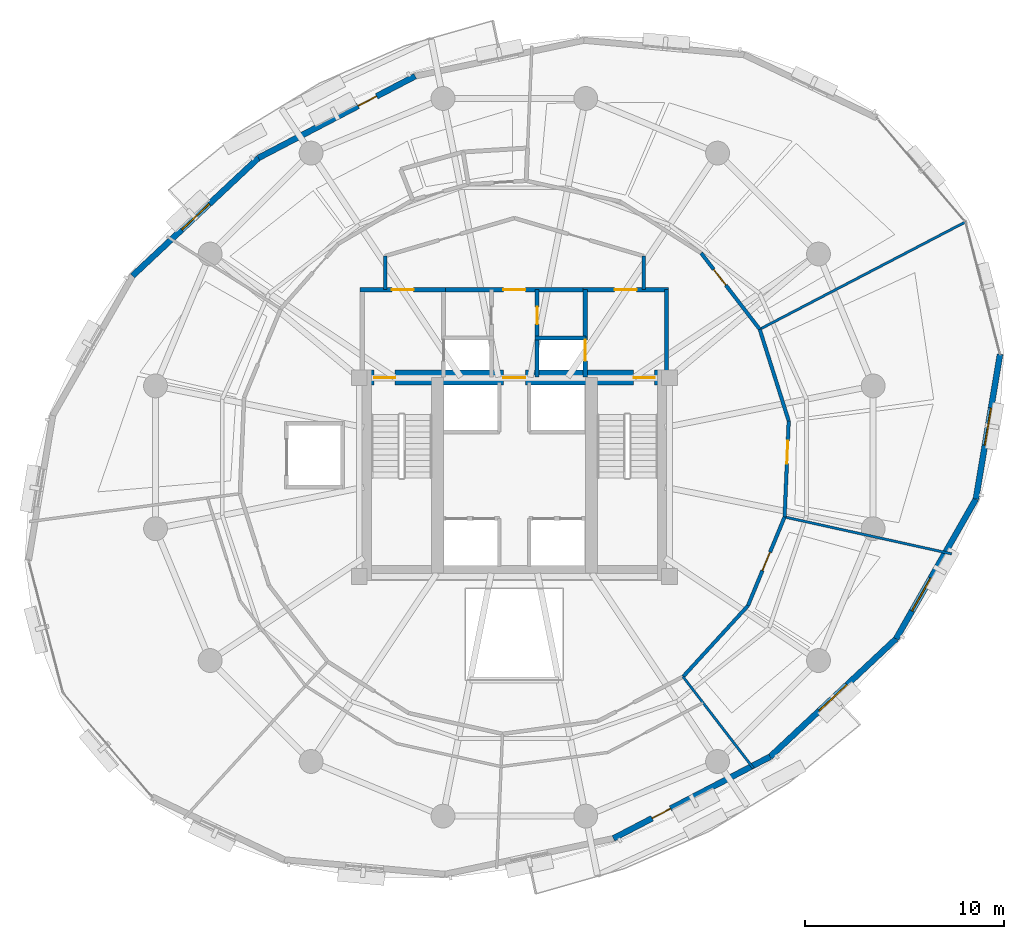
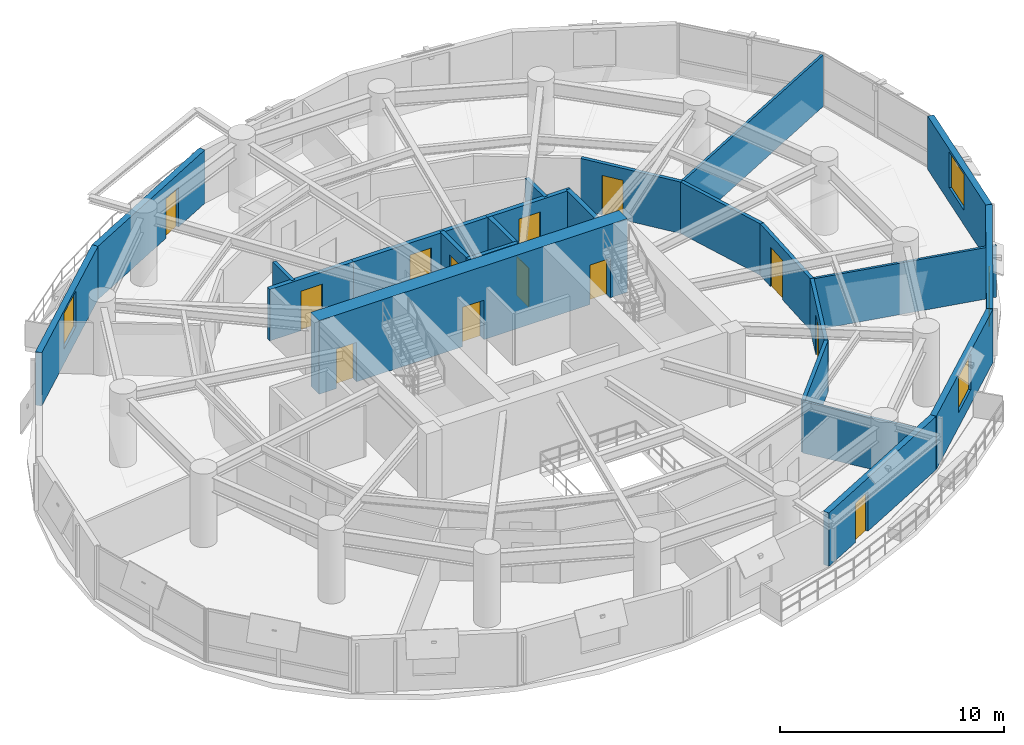
# One storey, part 11 of 14: 24 walls, 13 doors, 4 windows, 17 openings.
"""IFC4 building model written with IfcOpenShell, lengths in metres."""

from ifc_helpers import new_model, si_unit, direction, frame, frame_2d, origin, place, context, subcontext, project, spatial, rectangle, extrude, material, layer, layer_set, type_object, element, fill, save


model = new_model("IFC4")

# Units and contexts
model_context = context("Model", 3, precision=1e-05, world=origin(), true_north=direction((0.0, 1.0)))
body_context = subcontext(model_context, "Body", "Model", "MODEL_VIEW")
ifc_project = project(units=[si_unit("LENGTHUNIT", "METRE"), si_unit("AREAUNIT", "SQUARE_METRE"), si_unit("VOLUMEUNIT", "CUBIC_METRE"), si_unit("PLANEANGLEUNIT", "RADIAN"), si_unit("MASSUNIT", "GRAM", prefix="KILO"), si_unit("THERMODYNAMICTEMPERATUREUNIT", "KELVIN"), si_unit("POWERUNIT", "WATT")], contexts=[model_context])

# Site, building, storey
site_placement = place(None, origin())
site = spatial("IfcSite", under=ifc_project, at=site_placement, CompositionType="ELEMENT")
building_placement = place(site_placement, origin())
building = spatial("IfcBuilding", under=site, at=building_placement, Name="Ocrelia Relay Tower", CompositionType="ELEMENT")
storey_placement = place(building_placement, frame((0.0, 0.0, 149.800048828125)))
storey = spatial("IfcBuildingStorey", under=building, at=storey_placement, Name="L35", CompositionType="ELEMENT", Elevation=149.800048828125)

# Wall, openings, doors
ifc_material_1 = material(Name="Concrete C60/75", Category="concrete")
ifc_layer_1 = layer(ifc_material_1, 0.75, Name="Concrete C60/75")
ifc_layer_set_1 = layer_set([ifc_layer_1], Name="Concrete C60/75")
wall_type_1 = type_object("IfcWallType", Name="CW-CORE-750", PredefinedType="SHEAR", material=ifc_layer_set_1)
wall_1_placement = place(storey_placement, frame((26.072021484375, 30.012939453125, 0.0), z_axis=(0.0, 0.0, 1.0), x_axis=(1.0, 0.0, 0.0)))
wall_1 = element("IfcWall", 1, at=wall_1_placement, inside=storey, type_object=wall_type_1, Name="L35 Core Shear Wall N", PredefinedType="SHEAR", context=body_context, shape_type="SweptSolid", body=[
    extrude(rectangle(XDim=15.865966796875, YDim=0.75, at=frame_2d((7.93310546875, 0.0))), origin(), (0.0, 0.0, 1.0), 4.0),
])
opening_1_placement = place(wall_1_placement, frame((0.8779296875, 0.0, 0.0)))
opening_1 = element("IfcOpeningElement", 2, at=opening_1_placement, cuts=wall_1, Name="Opening D-FD90", PredefinedType="OPENING", context=body_context, shape_type="SweptSolid", body=[
    extrude(rectangle(XDim=1.050048828125, YDim=2.14990234375, at=frame_2d((0.52490234375, 1.074951171875))), frame((0.0, 0.385009765625, 0.0), z_axis=(0.0, -1.0, 0.0), x_axis=(1.0, 0.0, 0.0)), (0.0, 0.0, 1.0), 0.77001953125),
])
opening_2_placement = place(wall_1_placement, frame((13.927978515625, 0.0, 0.0)))
opening_2 = element("IfcOpeningElement", 3, at=opening_2_placement, cuts=wall_1, Name="Opening D-FD90", PredefinedType="OPENING", context=body_context, shape_type="SweptSolid", body=[
    extrude(rectangle(XDim=1.050048828125, YDim=2.14990234375, at=frame_2d((0.52490234375, 1.074951171875))), frame((0.0, 0.385009765625, 0.0), z_axis=(0.0, -1.0, 0.0), x_axis=(1.0, 0.0, 0.0)), (0.0, 0.0, 1.0), 0.77001953125),
])
opening_3_placement = place(wall_1_placement, frame((7.3779296875, 0.0, 0.0)))
opening_3 = element("IfcOpeningElement", 4, at=opening_3_placement, cuts=wall_1, Name="Opening D-FD60", PredefinedType="OPENING", context=body_context, shape_type="SweptSolid", body=[
    extrude(rectangle(XDim=1.10009765625, YDim=2.14990234375, at=frame_2d((0.550048828125, 1.074951171875))), frame((0.0, 0.385009765625, 0.0), z_axis=(0.0, -1.0, 0.0), x_axis=(1.0, 0.0, 0.0)), (0.0, 0.0, 1.0), 0.77001953125),
])
ifc_material_2 = material(Name="Timber-core 60-min acoustic fire door", Category="wood")
door_type_1 = type_object("IfcDoorType", Name="DR-LOBBY-FD60-1100", OperationType="NOTDEFINED", PredefinedType="DOOR", material=ifc_material_2)
door_1_placement = place(opening_3_placement, origin())
door_1 = element("IfcDoor", 5, at=door_1_placement, inside=storey, type_object=door_type_1, Name="L35 Core Lift Lobby North Fire Door", OperationType="SINGLE_SWING_LEFT", OverallHeight=2.14990234375, OverallWidth=1.10009765625, PredefinedType="DOOR", context=body_context, shape_type="SweptSolid", body=[
    extrude(rectangle(XDim=1.10009765625, YDim=2.14990234375, at=frame_2d((0.550048828125, 1.074951171875))), frame((0.0, 0.02490234375, 0.0), z_axis=(0.0, -1.0, 0.0), x_axis=(1.0, 0.0, 0.0)), (0.0, 0.0, 1.0), 0.050048828125),
])
fill(opening_3, door_1)
ifc_material_3 = material(Name="Steel S355 90-min fire door", Category="steel")
door_type_2 = type_object("IfcDoorType", Name="DR-STAIR-FD90-1050", OperationType="NOTDEFINED", PredefinedType="DOOR", material=ifc_material_3)
door_2_placement = place(opening_1_placement, origin())
door_2 = element("IfcDoor", 6, at=door_2_placement, inside=storey, type_object=door_type_2, Name="L35 Stair ST1 Fire Door", OperationType="SINGLE_SWING_LEFT", OverallHeight=2.14990234375, OverallWidth=1.050048828125, PredefinedType="DOOR", context=body_context, shape_type="SweptSolid", body=[
    extrude(rectangle(XDim=1.050048828125, YDim=2.14990234375, at=frame_2d((0.52490234375, 1.074951171875))), frame((0.0, 0.02490234375, 0.0), z_axis=(0.0, -1.0, 0.0), x_axis=(1.0, 0.0, 0.0)), (0.0, 0.0, 1.0), 0.050048828125),
])
fill(opening_1, door_2)
door_3_placement = place(opening_2_placement, origin())
door_3 = element("IfcDoor", 7, at=door_3_placement, inside=storey, type_object=door_type_2, Name="L35 Stair ST2 Fire Door", OperationType="SINGLE_SWING_RIGHT", OverallHeight=2.14990234375, OverallWidth=1.050048828125, PredefinedType="DOOR", context=body_context, shape_type="SweptSolid", body=[
    extrude(rectangle(XDim=1.050048828125, YDim=2.14990234375, at=frame_2d((0.52490234375, 1.074951171875))), frame((0.0, 0.02490234375, 0.0), z_axis=(0.0, -1.0, 0.0), x_axis=(1.0, 0.0, 0.0)), (0.0, 0.0, 1.0), 0.050048828125),
])
fill(opening_2, door_3)

# Walls
ifc_material_4 = material(Name="Gypsum Fireboard Partition EI60", Category="gypsum")
ifc_layer_2 = layer(ifc_material_4, 0.179931640625, Name="Gypsum Fireboard Partition EI60")
ifc_layer_set_2 = layer_set([ifc_layer_2], Name="Gypsum Fireboard Partition EI60")
wall_type_2 = type_object("IfcWallType", Name="W-CORR-EI60-180", PredefinedType="PARTITIONING", material=ifc_layer_set_2)
for number, where, z_axis, x_axis, name in (
    (8, (27.5, 34.429931640625, 0.0), (0.0, 0.0, 1.0), (0.0, 1.0, 0.0), "L35 Smoke Lobby West Return"),
    (9, (40.5, 36.122802734375, 0.0), (0.0, 0.0, 1.0), (0.0, -1.0, 0.0), "L35 Smoke Lobby East Return"),
):
    element("IfcWall", number, at=place(storey_placement, frame(where, z_axis=z_axis, x_axis=x_axis)), inside=storey, type_object=wall_type_2, Name=name, PredefinedType="PARTITIONING", context=body_context, shape_type="SweptSolid", body=[
        extrude(rectangle(XDim=1.69287109375, YDim=0.179931640625, at=frame_2d((0.846435546875, 0.0))), origin(), (0.0, 0.0, 1.0), 2.800048828125),
    ])
wall_2_placement = place(storey_placement, frame((42.483642578125, 14.9638671875, 0.0), z_axis=(0.0, 0.0, 1.0), x_axis=(0.6749444404, 0.737868553587, 0.0)))
element("IfcWall", 10, at=wall_2_placement, inside=storey, type_object=wall_type_2, Name="L35 Peering Conference Room Corridor Partition 1", PredefinedType="PARTITIONING", context=body_context, shape_type="SweptSolid", body=[
    extrude(rectangle(XDim=4.83447265625, YDim=0.179931640625, at=frame_2d((2.417236328125, 0.0))), origin(), (0.0, 0.0, 1.0), 2.800048828125),
])

# Wall, opening, door
wall_3_placement = place(storey_placement, frame((45.74658203125, 18.531005859375, 0.0), z_axis=(0.0, 0.0, 1.0), x_axis=(0.381884883338, 0.924209898171, 0.0)))
wall_3 = element("IfcWall", 11, at=wall_3_placement, inside=storey, type_object=wall_type_2, Name="L35 Peering Conference Room Corridor Partition 2", PredefinedType="PARTITIONING", context=body_context, shape_type="SweptSolid", body=[
    extrude(rectangle(XDim=4.83447265625, YDim=0.179931640625, at=frame_2d((2.417236328125, 0.0))), origin(), (0.0, 0.0, 1.0), 2.800048828125),
])
opening_4_placement = place(wall_3_placement, frame((1.917236328125, 0.0, 0.0)))
opening_4 = element("IfcOpeningElement", 12, at=opening_4_placement, cuts=wall_3, Name="Opening D-RM100", PredefinedType="OPENING", context=body_context, shape_type="SweptSolid", body=[
    extrude(rectangle(XDim=1.0, YDim=2.14990234375, at=frame_2d((0.5, 1.074951171875))), frame((0.0, 0.10009765625, 0.0), z_axis=(0.0, -1.0, 0.0), x_axis=(1.0, 0.0, 0.0)), (0.0, 0.0, 1.0), 0.199951171875),
])
ifc_material_5 = material(Name="Acoustic oak veneer fire door", Category="wood")
door_type_3 = type_object("IfcDoorType", Name="DR-ROOM-FD60-1000", OperationType="NOTDEFINED", PredefinedType="DOOR", material=ifc_material_5)
door_4_placement = place(opening_4_placement, origin())
door_4 = element("IfcDoor", 13, at=door_4_placement, inside=storey, type_object=door_type_3, Name="L35 Peering Conference Room Entrance Door", OperationType="SINGLE_SWING_LEFT", OverallHeight=2.14990234375, OverallWidth=1.0, PredefinedType="DOOR", context=body_context, shape_type="SweptSolid", body=[
    extrude(rectangle(XDim=1.0, YDim=2.14990234375, at=frame_2d((0.5, 1.074951171875))), frame((0.0, 0.02490234375, 0.0), z_axis=(0.0, -1.0, 0.0), x_axis=(1.0, 0.0, 0.0)), (0.0, 0.0, 1.0), 0.050048828125),
])
fill(opening_4, door_4)

wall_4_placement = place(storey_placement, frame((47.5927734375, 22.9990234375, 0.0), z_axis=(0.0, 0.0, 1.0), x_axis=(0.042722784695, 0.999086965018, 0.0)))
wall_4 = element("IfcWall", 14, at=wall_4_placement, inside=storey, type_object=wall_type_2, Name="L35 Carrier Patching Workspace Corridor Partition 1", PredefinedType="PARTITIONING", context=body_context, shape_type="SweptSolid", body=[
    extrude(rectangle(XDim=4.83447265625, YDim=0.179931640625, at=frame_2d((2.417236328125, 0.0))), origin(), (0.0, 0.0, 1.0), 2.800048828125),
])
opening_5_placement = place(wall_4_placement, frame((2.688232421875, 0.0, 0.0)))
opening_5 = element("IfcOpeningElement", 15, at=opening_5_placement, cuts=wall_4, Name="Opening D-RM115", PredefinedType="OPENING", context=body_context, shape_type="SweptSolid", body=[
    extrude(rectangle(XDim=1.14990234375, YDim=2.14990234375, at=frame_2d((0.574951171875, 1.074951171875))), frame((0.0, 0.10009765625, 0.0), z_axis=(0.0, -1.0, 0.0), x_axis=(1.0, 0.0, 0.0)), (0.0, 0.0, 1.0), 0.199951171875),
])
ifc_material_6 = material(Name="Wide acoustic oak veneer fire door", Category="wood")
door_type_4 = type_object("IfcDoorType", Name="DR-ROOM-1150", OperationType="NOTDEFINED", PredefinedType="DOOR", material=ifc_material_6)
door_5_placement = place(opening_5_placement, origin())
door_5 = element("IfcDoor", 16, at=door_5_placement, inside=storey, type_object=door_type_4, Name="L35 Carrier Patching Workspace Entrance Door", OperationType="SINGLE_SWING_RIGHT", OverallHeight=2.14990234375, OverallWidth=1.14990234375, PredefinedType="DOOR", context=body_context, shape_type="SweptSolid", body=[
    extrude(rectangle(XDim=1.14990234375, YDim=2.14990234375, at=frame_2d((0.574951171875, 1.074951171875))), frame((0.0, 0.02490234375, 0.0), z_axis=(0.0, -1.0, 0.0), x_axis=(1.0, 0.0, 0.0)), (0.0, 0.0, 1.0), 0.050048828125),
])
fill(opening_5, door_5)

# Wall
wall_5_placement = place(storey_placement, frame((47.79931640625, 27.8291015625, 0.0), z_axis=(0.0, 0.0, 1.0), x_axis=(-0.301554318109, 0.953448998757, 0.0)))
element("IfcWall", 17, at=wall_5_placement, inside=storey, type_object=wall_type_2, Name="L35 Carrier Patching Workspace Corridor Partition 2", PredefinedType="PARTITIONING", context=body_context, shape_type="SweptSolid", body=[
    extrude(rectangle(XDim=4.834228515625, YDim=0.179931640625, at=frame_2d((2.4169921875, 0.0))), origin(), (0.0, 0.0, 1.0), 2.800048828125),
])

# Wall, opening, door
wall_6_placement = place(storey_placement, frame((46.341552734375, 32.438232421875, 0.0), z_axis=(0.0, 0.0, 1.0), x_axis=(-0.609452025555, 0.792822949054, 0.0)))
wall_6 = element("IfcWall", 18, at=wall_6_placement, inside=storey, type_object=wall_type_2, Name="L35 Shift Staff Lounge Corridor Partition 1", PredefinedType="PARTITIONING", context=body_context, shape_type="SweptSolid", body=[
    extrude(rectangle(XDim=4.834228515625, YDim=0.179931640625, at=frame_2d((2.4169921875, 0.0))), origin(), (0.0, 0.0, 1.0), 2.800048828125),
])
opening_6_placement = place(wall_6_placement, frame((2.80078125, 0.0, 0.0)))
opening_6 = element("IfcOpeningElement", 19, at=opening_6_placement, cuts=wall_6, Name="Opening D-RM100", PredefinedType="OPENING", context=body_context, shape_type="SweptSolid", body=[
    extrude(rectangle(XDim=1.0, YDim=2.14990234375, at=frame_2d((0.5, 1.074951171875))), frame((0.0, 0.10009765625, 0.0), z_axis=(0.0, -1.0, 0.0), x_axis=(1.0, 0.0, 0.0)), (0.0, 0.0, 1.0), 0.199951171875),
])
door_6_placement = place(opening_6_placement, origin())
door_6 = element("IfcDoor", 20, at=door_6_placement, inside=storey, type_object=door_type_3, Name="L35 Shift Staff Lounge Entrance Door", OperationType="SINGLE_SWING_LEFT", OverallHeight=2.14990234375, OverallWidth=1.0, PredefinedType="DOOR", context=body_context, shape_type="SweptSolid", body=[
    extrude(rectangle(XDim=1.0, YDim=2.14990234375, at=frame_2d((0.5, 1.074951171875))), frame((0.0, 0.02490234375, 0.0), z_axis=(0.0, -1.0, 0.0), x_axis=(1.0, 0.0, 0.0)), (0.0, 0.0, 1.0), 0.050048828125),
])
fill(opening_6, door_6)

ifc_material_7 = material(Name="Precast concrete C40/50 with oxide terracotta", Category="masonry")
ifc_layer_3 = layer(ifc_material_7, 0.300048828125, Name="Precast concrete C40/50 with oxide terracotta")
ifc_layer_set_3 = layer_set([ifc_layer_3], Name="Precast concrete C40/50 with oxide terracotta")
wall_type_3 = type_object("IfcWallType", Name="W-EXT-TERR-300", PredefinedType="SOLIDWALL", material=ifc_layer_set_3)
wall_7_placement = place(storey_placement, frame((29.013671875, 45.169677734375, 0.0), z_axis=(0.0, 0.0, 1.0), x_axis=(-0.886600513761, -0.462535975897, 0.0)))
wall_7 = element("IfcWall", 21, at=wall_7_placement, inside=storey, type_object=wall_type_3, Name="L35 Oxide Terracotta Facade Wall 05", PredefinedType="SOLIDWALL", context=body_context, shape_type="SweptSolid", body=[
    extrude(rectangle(XDim=8.890869140625, YDim=0.300048828125, at=frame_2d((4.4453125, 0.0))), origin(), (0.0, 0.0, 1.0), 2.89990234375),
])
opening_7_placement = place(wall_7_placement, frame((2.18994140625, 0.0, 0.0)))
opening_7 = element("IfcOpeningElement", 22, at=opening_7_placement, cuts=wall_7, Name="Opening DB-105", PredefinedType="OPENING", context=body_context, shape_type="SweptSolid", body=[
    extrude(rectangle(XDim=1.050048828125, YDim=2.14990234375, at=frame_2d((0.52490234375, 1.074951171875))), frame((0.0, 0.16015625, 0.0), z_axis=(0.0, -1.0, 0.0), x_axis=(1.0, 0.0, 0.0)), (0.0, 0.0, 1.0), 0.320068359375),
])
ifc_material_8 = material(Name="Thermally broken aluminium and clear glass", Category="aluminium")
door_type_5 = type_object("IfcDoorType", Name="DR-BALC-1050", OperationType="NOTDEFINED", PredefinedType="DOOR", material=ifc_material_8)
door_7_placement = place(opening_7_placement, origin())
door_7 = element("IfcDoor", 23, at=door_7_placement, inside=storey, type_object=door_type_5, Name="L35 Planted Loggia Balcony Door B1", OperationType="SINGLE_SWING_LEFT", OverallHeight=2.14990234375, OverallWidth=1.050048828125, PredefinedType="DOOR", context=body_context, shape_type="SweptSolid", body=[
    extrude(rectangle(XDim=1.050048828125, YDim=2.14990234375, at=frame_2d((0.52490234375, 1.074951171875))), frame((0.0, 0.02490234375, 0.0), z_axis=(0.0, -1.0, 0.0), x_axis=(1.0, 0.0, 0.0)), (0.0, 0.0, 1.0), 0.050048828125),
])
fill(opening_7, door_7)

# Wall, opening, window
wall_8_placement = place(storey_placement, frame((21.131103515625, 41.057373046875, 0.0), z_axis=(0.0, 0.0, 1.0), x_axis=(-0.729921586767, -0.683530889698, 0.0)))
wall_8 = element("IfcWall", 24, at=wall_8_placement, inside=storey, type_object=wall_type_3, Name="L35 Oxide Terracotta Facade Wall 06", PredefinedType="SOLIDWALL", context=body_context, shape_type="SweptSolid", body=[
    extrude(rectangle(XDim=8.6728515625, YDim=0.300048828125, at=frame_2d((4.33642578125, 0.0))), origin(), (0.0, 0.0, 1.0), 2.89990234375),
])
opening_8_placement = place(wall_8_placement, frame((3.385986328125, 0.0, 0.800048828125)))
opening_8 = element("IfcOpeningElement", 25, at=opening_8_placement, cuts=wall_8, Name="Opening W-06", PredefinedType="OPENING", context=body_context, shape_type="SweptSolid", body=[
    extrude(rectangle(XDim=1.89990234375, YDim=1.949951171875, at=frame_2d((0.949951171875, 0.97509765625))), frame((0.0, 0.16015625, 0.0), z_axis=(0.0, -1.0, 0.0), x_axis=(1.0, 0.0, 0.0)), (0.0, 0.0, 1.0), 0.320068359375),
])
ifc_material_9 = material(Name="Clear double-glazed low-E glass", Category="glass")
window_type = type_object("IfcWindowType", Name="WIN-Z2-1900x2100", PartitioningType="DOUBLE_PANEL_VERTICAL", PredefinedType="WINDOW", material=ifc_material_9)
window_1_placement = place(opening_8_placement, origin())
window_1 = element("IfcWindow", 26, at=window_1_placement, inside=storey, type_object=window_type, Name="L35 Facade Module Window 06", OverallHeight=1.949951171875, OverallWidth=1.89990234375, PartitioningType="SINGLE_PANEL", PredefinedType="WINDOW", context=body_context, shape_type="SweptSolid", body=[
    extrude(rectangle(XDim=1.89990234375, YDim=1.949951171875, at=frame_2d((0.949951171875, 0.97509765625))), frame((0.0, 0.030029296875, 0.0), z_axis=(0.0, -1.0, 0.0), x_axis=(1.0, 0.0, 0.0)), (0.0, 0.0, 1.0), 0.06005859375),
])
fill(opening_8, window_1)

# Wall, opening, door
wall_9_placement = place(storey_placement, frame((38.986328125, 6.830322265625, 0.0), z_axis=(0.0, 0.0, 1.0), x_axis=(0.886600513761, 0.462535975897, 0.0)))
wall_9 = element("IfcWall", 27, at=wall_9_placement, inside=storey, type_object=wall_type_3, Name="L35 Oxide Terracotta Facade Wall 14", PredefinedType="SOLIDWALL", context=body_context, shape_type="SweptSolid", body=[
    extrude(rectangle(XDim=8.890869140625, YDim=0.300048828125, at=frame_2d((4.4453125, 0.0))), origin(), (0.0, 0.0, 1.0), 2.89990234375),
])
opening_9_placement = place(wall_9_placement, frame((2.18994140625, 0.0, 0.0)))
opening_9 = element("IfcOpeningElement", 28, at=opening_9_placement, cuts=wall_9, Name="Opening DB-105", PredefinedType="OPENING", context=body_context, shape_type="SweptSolid", body=[
    extrude(rectangle(XDim=1.050048828125, YDim=2.14990234375, at=frame_2d((0.52490234375, 1.074951171875))), frame((0.0, 0.16015625, 0.0), z_axis=(0.0, -1.0, 0.0), x_axis=(1.0, 0.0, 0.0)), (0.0, 0.0, 1.0), 0.320068359375),
])
door_8_placement = place(opening_9_placement, origin())
door_8 = element("IfcDoor", 29, at=door_8_placement, inside=storey, type_object=door_type_5, Name="L35 Planted Loggia Balcony Door B2", OperationType="SINGLE_SWING_LEFT", OverallHeight=2.14990234375, OverallWidth=1.050048828125, PredefinedType="DOOR", context=body_context, shape_type="SweptSolid", body=[
    extrude(rectangle(XDim=1.050048828125, YDim=2.14990234375, at=frame_2d((0.52490234375, 1.074951171875))), frame((0.0, 0.02490234375, 0.0), z_axis=(0.0, -1.0, 0.0), x_axis=(1.0, 0.0, 0.0)), (0.0, 0.0, 1.0), 0.050048828125),
])
fill(opening_9, door_8)

# Wall, opening, window
wall_10_placement = place(storey_placement, frame((46.868896484375, 10.942626953125, 0.0), z_axis=(0.0, 0.0, 1.0), x_axis=(0.729921586767, 0.683530889698, 0.0)))
wall_10 = element("IfcWall", 30, at=wall_10_placement, inside=storey, type_object=wall_type_3, Name="L35 Oxide Terracotta Facade Wall 15", PredefinedType="SOLIDWALL", context=body_context, shape_type="SweptSolid", body=[
    extrude(rectangle(XDim=8.6728515625, YDim=0.300048828125, at=frame_2d((4.33642578125, 0.0))), origin(), (0.0, 0.0, 1.0), 2.89990234375),
])
opening_10_placement = place(wall_10_placement, frame((3.385986328125, 0.0, 0.800048828125)))
opening_10 = element("IfcOpeningElement", 31, at=opening_10_placement, cuts=wall_10, Name="Opening W-06", PredefinedType="OPENING", context=body_context, shape_type="SweptSolid", body=[
    extrude(rectangle(XDim=1.89990234375, YDim=1.949951171875, at=frame_2d((0.949951171875, 0.97509765625))), frame((0.0, 0.16015625, 0.0), z_axis=(0.0, -1.0, 0.0), x_axis=(1.0, 0.0, 0.0)), (0.0, 0.0, 1.0), 0.320068359375),
])
window_2_placement = place(opening_10_placement, origin())
window_2 = element("IfcWindow", 32, at=window_2_placement, inside=storey, type_object=window_type, Name="L35 Facade Module Window 15", OverallHeight=1.949951171875, OverallWidth=1.89990234375, PartitioningType="SINGLE_PANEL", PredefinedType="WINDOW", context=body_context, shape_type="SweptSolid", body=[
    extrude(rectangle(XDim=1.89990234375, YDim=1.949951171875, at=frame_2d((0.949951171875, 0.97509765625))), frame((0.0, 0.030029296875, 0.0), z_axis=(0.0, -1.0, 0.0), x_axis=(1.0, 0.0, 0.0)), (0.0, 0.0, 1.0), 0.06005859375),
])
fill(opening_10, window_2)

wall_11_placement = place(storey_placement, frame((53.199462890625, 16.870849609375, 0.0), z_axis=(0.0, 0.0, 1.0), x_axis=(0.495931060513, 0.868361896457, 0.0)))
wall_11 = element("IfcWall", 33, at=wall_11_placement, inside=storey, type_object=wall_type_3, Name="L35 Oxide Terracotta Facade Wall 16", PredefinedType="SOLIDWALL", context=body_context, shape_type="SweptSolid", body=[
    extrude(rectangle(XDim=8.09521484375, YDim=0.300048828125, at=frame_2d((4.047607421875, 0.0))), origin(), (0.0, 0.0, 1.0), 2.89990234375),
])
opening_11_placement = place(wall_11_placement, frame((1.614990234375, 0.0, 0.800048828125)))
opening_11 = element("IfcOpeningElement", 34, at=opening_11_placement, cuts=wall_11, Name="Opening W-06", PredefinedType="OPENING", context=body_context, shape_type="SweptSolid", body=[
    extrude(rectangle(XDim=1.89990234375, YDim=1.949951171875, at=frame_2d((0.949951171875, 0.97509765625))), frame((0.0, 0.16015625, 0.0), z_axis=(0.0, -1.0, 0.0), x_axis=(1.0, 0.0, 0.0)), (0.0, 0.0, 1.0), 0.320068359375),
])
window_3_placement = place(opening_11_placement, origin())
window_3 = element("IfcWindow", 35, at=window_3_placement, inside=storey, type_object=window_type, Name="L35 Facade Module Window 16", OverallHeight=1.949951171875, OverallWidth=1.89990234375, PartitioningType="SINGLE_PANEL", PredefinedType="WINDOW", context=body_context, shape_type="SweptSolid", body=[
    extrude(rectangle(XDim=1.89990234375, YDim=1.949951171875, at=frame_2d((0.949951171875, 0.97509765625))), frame((0.0, 0.030029296875, 0.0), z_axis=(0.0, -1.0, 0.0), x_axis=(1.0, 0.0, 0.0)), (0.0, 0.0, 1.0), 0.06005859375),
])
fill(opening_11, window_3)

wall_12_placement = place(storey_placement, frame((57.214111328125, 23.900390625, 0.0), z_axis=(0.0, 0.0, 1.0), x_axis=(0.16453840075, 0.986370678132, 0.0)))
wall_12 = element("IfcWall", 36, at=wall_12_placement, inside=storey, type_object=wall_type_3, Name="L35 Oxide Terracotta Facade Wall 17", PredefinedType="SOLIDWALL", context=body_context, shape_type="SweptSolid", body=[
    extrude(rectangle(XDim=7.38330078125, YDim=0.300048828125, at=frame_2d((3.691650390625, 0.0))), origin(), (0.0, 0.0, 1.0), 2.89990234375),
])
opening_12_placement = place(wall_12_placement, frame((2.741943359375, 0.0, 0.800048828125)))
opening_12 = element("IfcOpeningElement", 37, at=opening_12_placement, cuts=wall_12, Name="Opening W-06", PredefinedType="OPENING", context=body_context, shape_type="SweptSolid", body=[
    extrude(rectangle(XDim=1.89990234375, YDim=1.949951171875, at=frame_2d((0.949951171875, 0.97509765625))), frame((0.0, 0.16015625, 0.0), z_axis=(0.0, -1.0, 0.0), x_axis=(1.0, 0.0, 0.0)), (0.0, 0.0, 1.0), 0.320068359375),
])
window_4_placement = place(opening_12_placement, origin())
window_4 = element("IfcWindow", 38, at=window_4_placement, inside=storey, type_object=window_type, Name="L35 Facade Module Window 17", OverallHeight=1.949951171875, OverallWidth=1.89990234375, PartitioningType="SINGLE_PANEL", PredefinedType="WINDOW", context=body_context, shape_type="SweptSolid", body=[
    extrude(rectangle(XDim=1.89990234375, YDim=1.949951171875, at=frame_2d((0.949951171875, 0.97509765625))), frame((0.0, 0.030029296875, 0.0), z_axis=(0.0, -1.0, 0.0), x_axis=(1.0, 0.0, 0.0)), (0.0, 0.0, 1.0), 0.06005859375),
])
fill(opening_12, window_4)

# Wall, opening, door
ifc_material_10 = material(Name="Concrete C50/60", Category="concrete")
ifc_layer_4 = layer(ifc_material_10, 0.219970703125, Name="Concrete C50/60")
ifc_layer_set_4 = layer_set([ifc_layer_4], Name="Concrete C50/60")
wall_type_4 = type_object("IfcWallType", Name="W-FFL-EI120-220", PredefinedType="SOLIDWALL", material=ifc_layer_set_4)
wall_13_placement = place(storey_placement, frame((26.239990234375, 34.429931640625, 0.0), z_axis=(0.0, 0.0, 1.0), x_axis=(1.0, 0.0, 0.0)))
wall_13 = element("IfcWall", 39, at=wall_13_placement, inside=storey, type_object=wall_type_4, Name="L35 W Fire Service Lift Lobby North Wall", PredefinedType="SOLIDWALL", context=body_context, shape_type="SweptSolid", body=[
    extrude(rectangle(XDim=4.31005859375, YDim=0.219970703125, at=frame_2d((2.155029296875, 0.0))), origin(), (0.0, 0.0, 1.0), 2.800048828125),
])
opening_13_placement = place(wall_13_placement, frame((1.60009765625, 0.0, 0.0)))
opening_13 = element("IfcOpeningElement", 40, at=opening_13_placement, cuts=wall_13, Name="Opening D-FD60", PredefinedType="OPENING", context=body_context, shape_type="SweptSolid", body=[
    extrude(rectangle(XDim=1.10009765625, YDim=2.14990234375, at=frame_2d((0.550048828125, 1.074951171875))), frame((0.0, 0.1201171875, 0.0), z_axis=(0.0, -1.0, 0.0), x_axis=(1.0, 0.0, 0.0)), (0.0, 0.0, 1.0), 0.239990234375),
])
door_9_placement = place(opening_13_placement, origin())
door_9 = element("IfcDoor", 41, at=door_9_placement, inside=storey, type_object=door_type_1, Name="L35 W Fire Service Lift Lobby Exit Door", OperationType="SINGLE_SWING_RIGHT", OverallHeight=2.14990234375, OverallWidth=1.10009765625, PredefinedType="DOOR", context=body_context, shape_type="SweptSolid", body=[
    extrude(rectangle(XDim=1.10009765625, YDim=2.14990234375, at=frame_2d((0.550048828125, 1.074951171875))), frame((0.0, 0.02490234375, 0.0), z_axis=(0.0, -1.0, 0.0), x_axis=(1.0, 0.0, 0.0)), (0.0, 0.0, 1.0), 0.050048828125),
])
fill(opening_13, door_9)

wall_14_placement = place(storey_placement, frame((37.56005859375, 30.050048828125, 0.0), z_axis=(0.0, 0.0, 1.0), x_axis=(0.0, 1.0, 0.0)))
wall_14 = element("IfcWall", 42, at=wall_14_placement, inside=storey, type_object=wall_type_4, Name="L35 E Fire Service Lift Lobby West Wall", PredefinedType="SOLIDWALL", context=body_context, shape_type="SweptSolid", body=[
    extrude(rectangle(XDim=4.3798828125, YDim=0.219970703125, at=frame_2d((2.18994140625, 0.0))), origin(), (0.0, 0.0, 1.0), 2.800048828125),
])
opening_14_placement = place(wall_14_placement, frame((0.800048828125, 0.0, 0.0)))
opening_14 = element("IfcOpeningElement", 43, at=opening_14_placement, cuts=wall_14, Name="Opening LD-FFL2", PredefinedType="OPENING", context=body_context, shape_type="SweptSolid", body=[
    extrude(rectangle(XDim=1.050048828125, YDim=2.10009765625, at=frame_2d((0.52490234375, 1.050048828125))), frame((0.0, 0.1201171875, 0.0), z_axis=(0.0, -1.0, 0.0), x_axis=(1.0, 0.0, 0.0)), (0.0, 0.0, 1.0), 0.239990234375),
])
ifc_material_11 = material(Name="Brushed stainless steel S355 lift landing door", Category="steel")
door_type_6 = type_object("IfcDoorType", Name="DR-LIFT-LAND-1050", OperationType="DOUBLE_DOOR_SLIDING", PredefinedType="USERDEFINED", material=ifc_material_11)
door_10_placement = place(opening_14_placement, origin())
door_10 = element("IfcDoor", 44, at=door_10_placement, inside=storey, type_object=door_type_6, Name="L35 Firefighting Lift FFL2 Sliding Landing Door", ObjectType="LANDING DOOR", OperationType="DOUBLE_DOOR_SLIDING", OverallHeight=2.10009765625, OverallWidth=1.050048828125, PredefinedType="USERDEFINED", context=body_context, shape_type="SweptSolid", body=[
    extrude(rectangle(XDim=1.050048828125, YDim=2.10009765625, at=frame_2d((0.52490234375, 1.050048828125))), frame((0.0, 0.02490234375, 0.0), z_axis=(0.0, -1.0, 0.0), x_axis=(1.0, 0.0, 0.0)), (0.0, 0.0, 1.0), 0.050048828125),
])
fill(opening_14, door_10)

# Wall
wall_15_placement = place(storey_placement, frame((41.64990234375, 30.050048828125, 0.0), z_axis=(0.0, 0.0, 1.0), x_axis=(0.0, 1.0, 0.0)))
element("IfcWall", 45, at=wall_15_placement, inside=storey, type_object=wall_type_4, Name="L35 E Fire Service Lift Lobby East Wall", PredefinedType="SOLIDWALL", context=body_context, shape_type="SweptSolid", body=[
    extrude(rectangle(XDim=4.3798828125, YDim=0.219970703125, at=frame_2d((2.18994140625, 0.0))), origin(), (0.0, 0.0, 1.0), 2.800048828125),
])

# Wall, opening, door
wall_16_placement = place(storey_placement, frame((37.449951171875, 34.429931640625, 0.0), z_axis=(0.0, 0.0, 1.0), x_axis=(1.0, 0.0, 0.0)))
wall_16 = element("IfcWall", 46, at=wall_16_placement, inside=storey, type_object=wall_type_4, Name="L35 E Fire Service Lift Lobby North Wall", PredefinedType="SOLIDWALL", context=body_context, shape_type="SweptSolid", body=[
    extrude(rectangle(XDim=4.31005859375, YDim=0.219970703125, at=frame_2d((2.155029296875, 0.0))), origin(), (0.0, 0.0, 1.0), 2.800048828125),
])
opening_15_placement = place(wall_16_placement, frame((1.60009765625, 0.0, 0.0)))
opening_15 = element("IfcOpeningElement", 47, at=opening_15_placement, cuts=wall_16, Name="Opening D-FD60", PredefinedType="OPENING", context=body_context, shape_type="SweptSolid", body=[
    extrude(rectangle(XDim=1.10009765625, YDim=2.14990234375, at=frame_2d((0.550048828125, 1.074951171875))), frame((0.0, 0.1201171875, 0.0), z_axis=(0.0, -1.0, 0.0), x_axis=(1.0, 0.0, 0.0)), (0.0, 0.0, 1.0), 0.239990234375),
])
door_11_placement = place(opening_15_placement, origin())
door_11 = element("IfcDoor", 48, at=door_11_placement, inside=storey, type_object=door_type_1, Name="L35 E Fire Service Lift Lobby Exit Door", OperationType="SINGLE_SWING_RIGHT", OverallHeight=2.14990234375, OverallWidth=1.10009765625, PredefinedType="DOOR", context=body_context, shape_type="SweptSolid", body=[
    extrude(rectangle(XDim=1.10009765625, YDim=2.14990234375, at=frame_2d((0.550048828125, 1.074951171875))), frame((0.0, 0.02490234375, 0.0), z_axis=(0.0, -1.0, 0.0), x_axis=(1.0, 0.0, 0.0)), (0.0, 0.0, 1.0), 0.050048828125),
])
fill(opening_15, door_11)

wall_17_placement = place(storey_placement, frame((30.43994140625, 34.429931640625, 0.0), z_axis=(0.0, 0.0, 1.0), x_axis=(1.0, 0.0, 0.0)))
wall_17 = element("IfcWall", 49, at=wall_17_placement, inside=storey, type_object=wall_type_4, Name="L35 North Core Vestibule Wall", PredefinedType="SOLIDWALL", context=body_context, shape_type="SweptSolid", body=[
    extrude(rectangle(XDim=7.1201171875, YDim=0.219970703125, at=frame_2d((3.56005859375, 0.0))), origin(), (0.0, 0.0, 1.0), 2.800048828125),
])
opening_16_placement = place(wall_17_placement, frame((3.010009765625, 0.0, 0.0)))
opening_16 = element("IfcOpeningElement", 50, at=opening_16_placement, cuts=wall_17, Name="Opening D-FD60", PredefinedType="OPENING", context=body_context, shape_type="SweptSolid", body=[
    extrude(rectangle(XDim=1.10009765625, YDim=2.14990234375, at=frame_2d((0.550048828125, 1.074951171875))), frame((0.0, 0.1201171875, 0.0), z_axis=(0.0, -1.0, 0.0), x_axis=(1.0, 0.0, 0.0)), (0.0, 0.0, 1.0), 0.239990234375),
])
door_12_placement = place(opening_16_placement, origin())
door_12 = element("IfcDoor", 51, at=door_12_placement, inside=storey, type_object=door_type_1, Name="L35 North Core Vestibule Corridor Door", OperationType="SINGLE_SWING_RIGHT", OverallHeight=2.14990234375, OverallWidth=1.10009765625, PredefinedType="DOOR", context=body_context, shape_type="SweptSolid", body=[
    extrude(rectangle(XDim=1.10009765625, YDim=2.14990234375, at=frame_2d((0.550048828125, 1.074951171875))), frame((0.0, 0.02490234375, 0.0), z_axis=(0.0, -1.0, 0.0), x_axis=(1.0, 0.0, 0.0)), (0.0, 0.0, 1.0), 0.050048828125),
])
fill(opening_16, door_12)

# Walls
ifc_material_12 = material(Name="Acoustic Fireboard Partition EI60", Category="gypsum")
ifc_layer_5 = layer(ifc_material_12, 0.125, Name="Acoustic Fireboard Partition EI60")
ifc_layer_set_5 = layer_set([ifc_layer_5], Name="Acoustic Fireboard Partition EI60")
wall_type_5 = type_object("IfcWallType", Name="W-PART-125", PredefinedType="PARTITIONING", material=ifc_layer_set_5)
wall_18_placement = place(storey_placement, frame((42.483642578125, 14.9638671875, 0.0), z_axis=(0.0, 0.0, 1.0), x_axis=(0.609448463094, -0.792825687546, 0.0)))
element("IfcWall", 52, at=wall_18_placement, inside=storey, type_object=wall_type_5, Name="L35 Photonics Metrology Lab Radial Partition", PredefinedType="PARTITIONING", context=body_context, shape_type="SweptSolid", body=[
    extrude(rectangle(XDim=5.803466796875, YDim=0.125, at=frame_2d((2.90185546875, 0.0))), origin(), (0.0, 0.0, 1.0), 2.800048828125),
])
wall_19_placement = place(storey_placement, frame((47.5927734375, 22.9990234375, 0.0), z_axis=(0.0, 0.0, 1.0), x_axis=(0.976480571381, -0.215605412074, 0.0)))
element("IfcWall", 53, at=wall_19_placement, inside=storey, type_object=wall_type_5, Name="L35 Peering Conference Room Radial Partition", PredefinedType="PARTITIONING", context=body_context, shape_type="SweptSolid", body=[
    extrude(rectangle(XDim=8.604736328125, YDim=0.125, at=frame_2d((4.30224609375, 0.0))), origin(), (0.0, 0.0, 1.0), 2.800048828125),
])
wall_20_placement = place(storey_placement, frame((46.341552734375, 32.438232421875, 0.0), z_axis=(0.0, 0.0, 1.0), x_axis=(0.886607207031, 0.462523145842, 0.0)))
element("IfcWall", 54, at=wall_20_placement, inside=storey, type_object=wall_type_5, Name="L35 Carrier Patching Workspace Radial Partition", PredefinedType="PARTITIONING", context=body_context, shape_type="SweptSolid", body=[
    extrude(rectangle(XDim=11.68017578125, YDim=0.125, at=frame_2d((5.840087890625, 0.0))), origin(), (0.0, 0.0, 1.0), 2.800048828125),
])
ifc_layer_6 = layer(ifc_material_10, 0.199951171875, Name="Concrete C50/60")
ifc_layer_set_6 = layer_set([ifc_layer_6], Name="Concrete C50/60")
wall_type_6 = type_object("IfcWallType", Name="W-SHAFT-EI120-200", PredefinedType="SOLIDWALL", material=ifc_layer_set_6)
wall_21_placement = place(storey_placement, frame((35.050048828125, 32.0, 0.0), z_axis=(0.0, 0.0, 1.0), x_axis=(1.0, 0.0, 0.0)))
element("IfcWall", 55, at=wall_21_placement, inside=storey, type_object=wall_type_6, Name="L35 FFL2 Hoistway North Wall", PredefinedType="SOLIDWALL", context=body_context, shape_type="SweptSolid", body=[
    extrude(rectangle(XDim=2.550048828125, YDim=0.199951171875, at=frame_2d((1.27490234375, 0.0))), origin(), (0.0, 0.0, 1.0), 2.800048828125),
])

# Wall, opening, door
wall_22_placement = place(storey_placement, frame((35.14990234375, 30.050048828125, 0.0), z_axis=(0.0, 0.0, 1.0), x_axis=(0.0, 1.0, 0.0)))
wall_22 = element("IfcWall", 56, at=wall_22_placement, inside=storey, type_object=wall_type_6, Name="L35 FFL2 and Service Vestibule Wall", PredefinedType="SOLIDWALL", context=body_context, shape_type="SweptSolid", body=[
    extrude(rectangle(XDim=4.3798828125, YDim=0.199951171875, at=frame_2d((2.18994140625, 0.0))), origin(), (0.0, 0.0, 1.0), 2.800048828125),
])
opening_17_placement = place(wall_22_placement, frame((2.64990234375, 0.0, 0.0)))
opening_17 = element("IfcOpeningElement", 57, at=opening_17_placement, cuts=wall_22, Name="Opening D-RS86", PredefinedType="OPENING", context=body_context, shape_type="SweptSolid", body=[
    extrude(rectangle(XDim=0.860107421875, YDim=2.050048828125, at=frame_2d((0.43017578125, 1.02490234375))), frame((0.0, 0.10986328125, 0.0), z_axis=(0.0, -1.0, 0.0), x_axis=(1.0, 0.0, 0.0)), (0.0, 0.0, 1.0), 0.219970703125),
])
ifc_material_13 = material(Name="Steel S355 riser access fire door", Category="steel")
door_type_7 = type_object("IfcDoorType", Name="DR-RISER-TRAP-860", OperationType="NOTDEFINED", PredefinedType="TRAPDOOR", material=ifc_material_13)
door_13_placement = place(opening_17_placement, origin())
door_13 = element("IfcDoor", 58, at=door_13_placement, inside=storey, type_object=door_type_7, Name="L35 Core Support Room E Door", OperationType="SINGLE_SWING_LEFT", OverallHeight=2.050048828125, OverallWidth=0.860107421875, PredefinedType="TRAPDOOR", context=body_context, shape_type="SweptSolid", body=[
    extrude(rectangle(XDim=0.860107421875, YDim=2.050048828125, at=frame_2d((0.43017578125, 1.02490234375))), frame((0.0, 0.02490234375, 0.0), z_axis=(0.0, -1.0, 0.0), x_axis=(1.0, 0.0, 0.0)), (0.0, 0.0, 1.0), 0.050048828125),
])
fill(opening_17, door_13)

save(model, "model.ifc")
